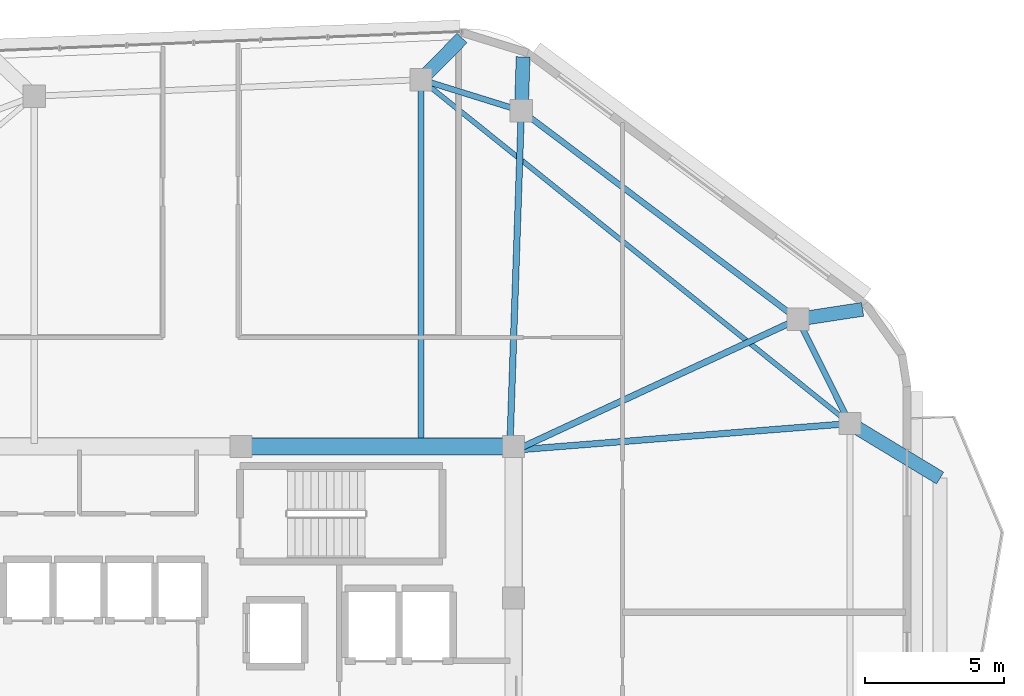
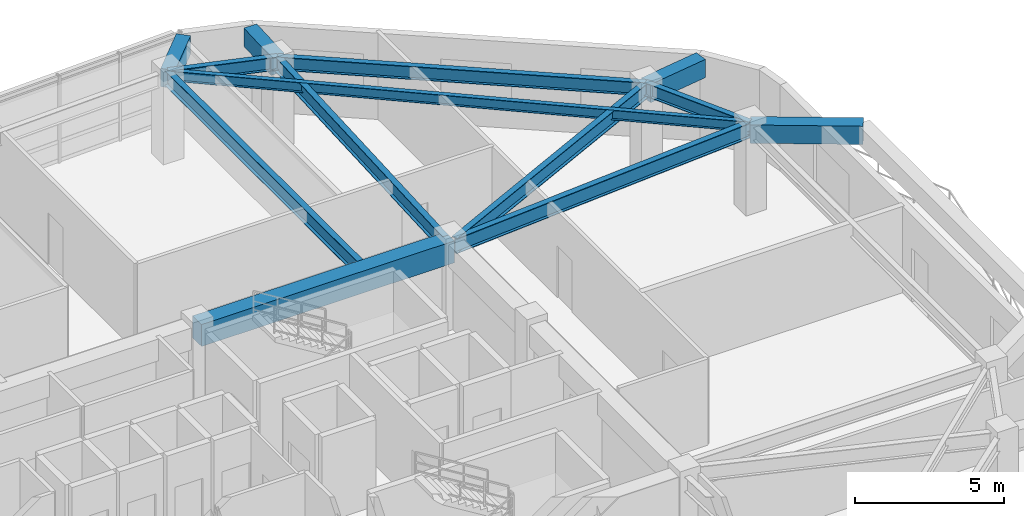
# One storey, part 3 of 12: 13 beams.
"""IFC4 building model written with IfcOpenShell, lengths in metres."""

from ifc_helpers import new_model, si_unit, direction, frame, origin, origin_2d, place, context, subcontext, project, spatial, rectangle, i_section, extrude, material, material_profile, profile_set, type_object, element, save


model = new_model("IFC4")

# Units and contexts
model_context = context("Model", 3, precision=1e-05, world=origin(), true_north=direction((0.0, 1.0)))
body_context = subcontext(model_context, "Body", "Model", "MODEL_VIEW")
ifc_project = project(units=[si_unit("LENGTHUNIT", "METRE"), si_unit("AREAUNIT", "SQUARE_METRE"), si_unit("VOLUMEUNIT", "CUBIC_METRE"), si_unit("PLANEANGLEUNIT", "RADIAN"), si_unit("MASSUNIT", "GRAM", prefix="KILO")], contexts=[model_context])

# Site, building, storey
site_placement = place(None, origin())
site = spatial("IfcSite", under=ifc_project, at=site_placement, CompositionType="ELEMENT")
building_placement = place(site_placement, origin())
building = spatial("IfcBuilding", under=site, at=building_placement, Name="Zulverin Broadcast Headquarters", CompositionType="ELEMENT")
storey_placement = place(building_placement, frame((0.0, 0.0, 289.60009765625)))
storey = spatial("IfcBuildingStorey", under=building, at=storey_placement, Name="L74", CompositionType="ELEMENT", Elevation=289.60009765625)

# Beams
ifc_material_1 = material(Name="Concrete C60/75", Category="concrete")
ifc_material_profile_1 = material_profile(ifc_material_1, rectangle(XDim=0.60009765625, YDim=0.89990234375, at=origin_2d()), Name="Concrete C60/75", Category="concrete")
ifc_profile_set_1 = profile_set([ifc_material_profile_1], Name="Concrete C60/75")
beam_type_1 = type_object("IfcBeamType", Name="BM-CB-600x900", PredefinedType="LINTEL", material=ifc_profile_set_1)
beam_1_placement = place(storey_placement, frame((48.27490234375, 33.074951171875, 3.08984375), z_axis=(-1.0, 0.0, 0.0), x_axis=(0.0, -1.0, 0.0)))
element("IfcBeam", 1, at=beam_1_placement, inside=storey, type_object=beam_type_1, Name="L74 Core Coupling Girder K05-K06", PredefinedType="LINTEL", context=body_context, shape_type="SweptSolid", body=[
    extrude(rectangle(XDim=0.60009765625, YDim=0.89990234375, at=origin_2d()), origin(), (0.0, 0.0, 1.0), 9.824951171875),
])
ifc_material_2 = material(Name="Concrete C40/50", Category="concrete")
ifc_material_profile_2 = material_profile(ifc_material_2, rectangle(XDim=0.5, YDim=0.75, at=origin_2d()), Name="Concrete C40/50", Category="concrete")
ifc_profile_set_2 = profile_set([ifc_material_profile_2], Name="Concrete C40/50")
beam_type_2 = type_object("IfcBeamType", Name="BM-RC-500x750", PredefinedType="BEAM", material=ifc_profile_set_2)
beam_2_placement = place(storey_placement, frame((58.52587890625, 37.661865234375, 3.164794921875), z_axis=(0.988495750069, 0.151248643286, 0.0), x_axis=(-0.151248643286, 0.988495750069, 0.0)))
element("IfcBeam", 2, at=beam_2_placement, inside=storey, type_object=beam_type_2, Name="L75 Plate Overhang Back-Spanned Beam OVR-07", PredefinedType="BEAM", context=body_context, shape_type="SweptSolid", body=[
    extrude(rectangle(XDim=0.5, YDim=0.75, at=origin_2d()), origin(), (0.0, 0.0, 1.0), 2.35986328125),
])
beam_3_placement = place(storey_placement, frame((48.55908203125, 45.172607421875, 3.164794921875), z_axis=(0.032637714701, 0.999467247877, 0.0), x_axis=(-0.999467247877, 0.032637714701, 0.0)))
element("IfcBeam", 3, at=beam_3_placement, inside=storey, type_object=beam_type_2, Name="L75 Plate Overhang Back-Spanned Beam OVR-08", PredefinedType="BEAM", context=body_context, shape_type="SweptSolid", body=[
    extrude(rectangle(XDim=0.5, YDim=0.75, at=origin_2d()), origin(), (0.0, 0.0, 1.0), 1.94482421875),
])
beam_4_placement = place(storey_placement, frame((44.944580078125, 46.296630859375, 3.164794921875), z_axis=(0.702159513415, 0.712019675094, 0.0), x_axis=(-0.712019675094, 0.702159513415, 0.0)))
element("IfcBeam", 4, at=beam_4_placement, inside=storey, type_object=beam_type_2, Name="L75 Plate Overhang Back-Spanned Beam OVR-09", PredefinedType="BEAM", context=body_context, shape_type="SweptSolid", body=[
    extrude(rectangle(XDim=0.5, YDim=0.75, at=origin_2d()), origin(), (0.0, 0.0, 1.0), 2.104736328125),
])
beam_5_placement = place(storey_placement, frame((60.39990234375, 33.903076171875, 3.164794921875), z_axis=(0.855759105742, -0.517374480371, 0.0), x_axis=(0.517374480371, 0.855759105742, 0.0)))
element("IfcBeam", 5, at=beam_5_placement, inside=storey, type_object=beam_type_2, Name="L75 Balcony Column-Framed Cantilever BAL_E-2", PredefinedType="BEAM", context=body_context, shape_type="SweptSolid", body=[
    extrude(rectangle(XDim=0.5, YDim=0.75, at=origin_2d()), origin(), (0.0, 0.0, 1.0), 3.800048828125),
])
ifc_material_3 = material(Name="Structural steel S355JR", Category="steel")
ifc_material_profile_3 = material_profile(ifc_material_3, i_section(OverallWidth=0.179443359375, OverallDepth=0.412841796875, WebThickness=0.009521484375, FlangeThickness=0.01611328125, at=origin_2d()), Name="Structural steel S355JR", Category="steel")
ifc_profile_set_3 = profile_set([ifc_material_profile_3], Name="Structural steel S355JR")
beam_type_3 = type_object("IfcBeamType", Name="BM-UB-406", PredefinedType="JOIST", material=ifc_profile_set_3)
beam_6_placement = place(storey_placement, frame((60.39990234375, 33.903076171875, 3.33349609375), z_axis=(-0.78014690603, 0.625596359493, 0.0), x_axis=(-0.625596359493, -0.78014690603, 0.0)))
element("IfcBeam", 6, at=beam_6_placement, inside=storey, type_object=beam_type_3, Name="L74 Chordal Floor Joist J-02", PredefinedType="JOIST", context=body_context, shape_type="SweptSolid", body=[
    extrude(i_section(OverallWidth=0.179443359375, OverallDepth=0.412841796875, WebThickness=0.009521484375, FlangeThickness=0.01611328125, at=origin_2d()), origin(), (0.0, 0.0, 1.0), 19.810791015625),
])
ifc_material_profile_4 = material_profile(ifc_material_3, i_section(OverallWidth=0.2119140625, OverallDepth=0.54443359375, WebThickness=0.0126953125, FlangeThickness=0.021240234375, at=origin_2d()), Name="Structural steel S355JR", Category="steel")
ifc_profile_set_4 = profile_set([ifc_material_profile_4], Name="Structural steel S355JR")
beam_type_4 = type_object("IfcBeamType", Name="BM-UB-533", PredefinedType="SPANDREL", material=ifc_profile_set_4)
beam_7_placement = place(storey_placement, frame((60.39990234375, 33.903076171875, 3.267822265625), z_axis=(-0.446190250792, 0.894938131995, 0.0), x_axis=(-0.894938131995, -0.446190250792, 0.0)))
element("IfcBeam", 7, at=beam_7_placement, inside=storey, type_object=beam_type_4, Name="L74 Perimeter Spandrel Beam SP-06", PredefinedType="SPANDREL", context=body_context, shape_type="SweptSolid", body=[
    extrude(i_section(OverallWidth=0.2119140625, OverallDepth=0.54443359375, WebThickness=0.0126953125, FlangeThickness=0.021240234375, at=origin_2d()), origin(), (0.0, 0.0, 1.0), 4.199951171875),
])
beam_8_placement = place(storey_placement, frame((58.52587890625, 37.661865234375, 3.267822265625), z_axis=(-0.798626958847, 0.60182637081, 0.0), x_axis=(-0.60182637081, -0.798626958847, 0.0)))
element("IfcBeam", 8, at=beam_8_placement, inside=storey, type_object=beam_type_4, Name="L74 Perimeter Spandrel Beam SP-07", PredefinedType="SPANDREL", context=body_context, shape_type="SweptSolid", body=[
    extrude(i_section(OverallWidth=0.2119140625, OverallDepth=0.54443359375, WebThickness=0.0126953125, FlangeThickness=0.021240234375, at=origin_2d()), origin(), (0.0, 0.0, 1.0), 12.47998046875),
])
beam_9_placement = place(storey_placement, frame((48.55908203125, 45.172607421875, 3.267822265625), z_axis=(-0.954893359596, 0.296948938033, 0.0), x_axis=(-0.296948938033, -0.954893359596, 0.0)))
element("IfcBeam", 9, at=beam_9_placement, inside=storey, type_object=beam_type_4, Name="L74 Perimeter Spandrel Beam SP-08", PredefinedType="SPANDREL", context=body_context, shape_type="SweptSolid", body=[
    extrude(i_section(OverallWidth=0.2119140625, OverallDepth=0.54443359375, WebThickness=0.0126953125, FlangeThickness=0.021240234375, at=origin_2d()), origin(), (0.0, 0.0, 1.0), 3.78515625),
])
ifc_material_profile_5 = material_profile(ifc_material_3, i_section(OverallWidth=0.230224609375, OverallDepth=0.6171875, WebThickness=0.01318359375, FlangeThickness=0.022216796875, at=origin_2d()), Name="Structural steel S355JR", Category="steel")
ifc_profile_set_5 = profile_set([ifc_material_profile_5], Name="Structural steel S355JR")
beam_type_5 = type_object("IfcBeamType", Name="BM-UB-610", PredefinedType="BEAM", material=ifc_profile_set_5)
beam_10_placement = place(storey_placement, frame((48.375, 32.949951171875, 3.231201171875), z_axis=(0.996873444671, 0.079014779064, 0.0), x_axis=(-0.079014779064, 0.996873444671, 0.0)))
element("IfcBeam", 10, at=beam_10_placement, inside=storey, type_object=beam_type_5, Name="L74 Radial Primary Floor Beam RB-06", PredefinedType="BEAM", context=body_context, shape_type="SweptSolid", body=[
    extrude(i_section(OverallWidth=0.230224609375, OverallDepth=0.6171875, WebThickness=0.01318359375, FlangeThickness=0.022216796875, at=origin_2d()), origin(), (0.0, 0.0, 1.0), 12.0625),
])
beam_11_placement = place(storey_placement, frame((48.375, 32.949951171875, 3.231201171875), z_axis=(0.90704288978, 0.421038235912, 0.0), x_axis=(-0.421038235912, 0.90704288978, 0.0)))
element("IfcBeam", 11, at=beam_11_placement, inside=storey, type_object=beam_type_5, Name="L74 Radial Primary Floor Beam RB-07", PredefinedType="BEAM", context=body_context, shape_type="SweptSolid", body=[
    extrude(i_section(OverallWidth=0.230224609375, OverallDepth=0.6171875, WebThickness=0.01318359375, FlangeThickness=0.022216796875, at=origin_2d()), origin(), (0.0, 0.0, 1.0), 11.191162109375),
])
beam_12_placement = place(storey_placement, frame((48.14990234375, 33.175048828125, 3.231201171875), z_axis=(0.034085428247, 0.999418922965, 0.0), x_axis=(-0.999418922965, 0.034085428247, 0.0)))
element("IfcBeam", 12, at=beam_12_placement, inside=storey, type_object=beam_type_5, Name="L74 Radial Primary Floor Beam RB-08", PredefinedType="BEAM", context=body_context, shape_type="SweptSolid", body=[
    extrude(i_section(OverallWidth=0.230224609375, OverallDepth=0.6171875, WebThickness=0.01318359375, FlangeThickness=0.022216796875, at=origin_2d()), origin(), (0.0, 0.0, 1.0), 12.004638671875),
])
beam_13_placement = place(storey_placement, frame((44.944580078125, 33.175048828125, 3.231201171875), z_axis=(0.0, 1.0, 0.0), x_axis=(-1.0, 0.0, 0.0)))
element("IfcBeam", 13, at=beam_13_placement, inside=storey, type_object=beam_type_5, Name="L74 Radial Primary Floor Beam RB-09", PredefinedType="BEAM", context=body_context, shape_type="SweptSolid", body=[
    extrude(i_section(OverallWidth=0.230224609375, OverallDepth=0.6171875, WebThickness=0.01318359375, FlangeThickness=0.022216796875, at=origin_2d()), origin(), (0.0, 0.0, 1.0), 13.12158203125),
])

save(model, "model.ifc")
